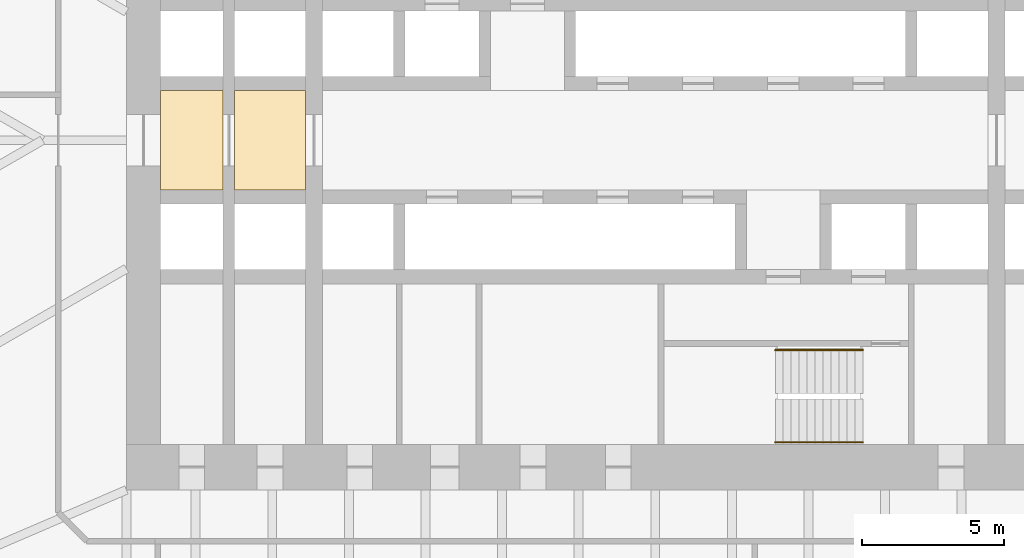
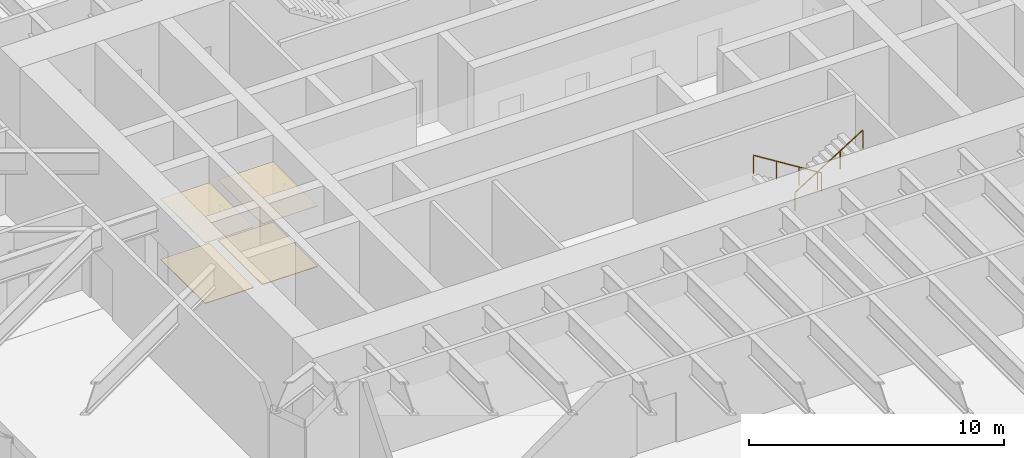
# One storey, part 15 of 17: 4 coverings, 2 railings.
"""IFC4 building model written with IfcOpenShell, lengths in metres."""

from ifc_helpers import new_model, si_unit, direction, frame, origin, origin_2d, place, context, subcontext, project, spatial, polyline, circle, outline, extrude, material, layer, layer_set, type_object, element, save


model = new_model("IFC4")

# Units and contexts
model_context = context("Model", 3, precision=1e-05, world=origin(), true_north=direction((0.0, 1.0)))
body_context = subcontext(model_context, "Body", "Model", "MODEL_VIEW")
ifc_project = project(units=[si_unit("LENGTHUNIT", "METRE"), si_unit("AREAUNIT", "SQUARE_METRE"), si_unit("VOLUMEUNIT", "CUBIC_METRE"), si_unit("PLANEANGLEUNIT", "RADIAN"), si_unit("MASSUNIT", "GRAM", prefix="KILO")], contexts=[model_context])

# Site, building, storey
site_placement = place(None, origin())
site = spatial("IfcSite", under=ifc_project, at=site_placement, CompositionType="ELEMENT")
building_placement = place(site_placement, origin())
building = spatial("IfcBuilding", under=site, at=building_placement, Name="Tarfa Lantern Tower", CompositionType="ELEMENT")
storey_placement = place(building_placement, frame((0.0, 0.0, 23.5)))
storey = spatial("IfcBuildingStorey", under=building, at=storey_placement, Name="L04", CompositionType="ELEMENT", Elevation=23.5)

# Coverings
ifc_material_1 = material(Name="Powder-coated aluminium panel", Category="aluminium")
ifc_layer_1 = layer(ifc_material_1, 0.030029296875)
ifc_layer_set_1 = layer_set([ifc_layer_1], Name="CL3 METAL PANEL CEILING 30")
covering_type_1 = type_object("IfcCoveringType", Name="CL3 METAL PANEL CEILING 30", PredefinedType="CEILING", material=ifc_layer_set_1)
covering_1_placement = place(storey_placement, frame((0.0, 0.0, 2.89990234375)))
element("IfcCovering", 1, at=covering_1_placement, inside=storey, type_object=covering_type_1, Name="Ceiling L04-01", PredefinedType="CEILING", context=body_context, shape_type="SweptSolid", body=[
    extrude(outline(polyline([(-17.39990234375, -1.75), (-15.199951171875, -1.75), (-15.199951171875, 1.75), (-17.39990234375, 1.75), (-17.39990234375, -1.75)])), origin(), (0.0, 0.0, 1.0), 0.030029296875),
])
covering_2_placement = place(storey_placement, frame((0.0, 0.0, 2.89990234375)))
element("IfcCovering", 2, at=covering_2_placement, inside=storey, type_object=covering_type_1, Name="Ceiling L04-02", PredefinedType="CEILING", context=body_context, shape_type="SweptSolid", body=[
    extrude(outline(polyline([(-14.800048828125, -1.75), (-12.300048828125, -1.75), (-12.300048828125, 1.75), (-14.800048828125, 1.75), (-14.800048828125, -1.75)])), origin(), (0.0, 0.0, 1.0), 0.030029296875),
])
ifc_material_2 = material(Name="Honed limestone flooring", Category="masonry")
ifc_layer_2 = layer(ifc_material_2, 0.030029296875)
ifc_layer_set_2 = layer_set([ifc_layer_2], Name="FL2 STONE FLOORING 30")
covering_type_2 = type_object("IfcCoveringType", Name="FL2 STONE FLOORING 30", PredefinedType="FLOORING", material=ifc_layer_set_2)
covering_3_placement = place(storey_placement, origin())
element("IfcCovering", 3, at=covering_3_placement, inside=storey, type_object=covering_type_2, Name="Floor finish L04-01", PredefinedType="FLOORING", context=body_context, shape_type="SweptSolid", body=[
    extrude(outline(polyline([(-17.39990234375, -1.75), (-15.199951171875, -1.75), (-15.199951171875, 1.75), (-17.39990234375, 1.75), (-17.39990234375, -1.75)])), origin(), (0.0, 0.0, 1.0), 0.030029296875),
])
covering_4_placement = place(storey_placement, origin())
element("IfcCovering", 4, at=covering_4_placement, inside=storey, type_object=covering_type_2, Name="Floor finish L04-02", PredefinedType="FLOORING", context=body_context, shape_type="SweptSolid", body=[
    extrude(outline(polyline([(-14.800048828125, -1.75), (-12.300048828125, -1.75), (-12.300048828125, 1.75), (-14.800048828125, 1.75), (-14.800048828125, -1.75)])), origin(), (0.0, 0.0, 1.0), 0.030029296875),
])

# Railings
ifc_material_3 = material(Name="Stainless steel", Category="steel")
railing_type = type_object("IfcRailingType", Name="HR1 HANDRAIL 900", PredefinedType="HANDRAIL", material=ifc_material_3)
railing_1_placement = place(storey_placement, frame((7.300048828125, -7.3798828125, 0.175048828125)))
element("IfcRailing", 5, at=railing_1_placement, inside=storey, type_object=railing_type, Name="Handrail 1", PredefinedType="HANDRAIL", context=body_context, shape_type="SweptSolid", body=[
    extrude(circle(Radius=0.02392578125, at=origin_2d()), frame((0.0, 0.0, 0.8759765625), z_axis=(-0.847998304005, 0.0, 0.529998940003), x_axis=(0.0, -1.0, 0.0)), (0.0, 0.0, 1.0), 3.632080078125),
    extrude(circle(Radius=0.02099609375, at=origin_2d()), frame((0.0, 0.0, 0.0), z_axis=(0.0, 0.0, 1.0), x_axis=(0.0, -1.0, 0.0)), (0.0, 0.0, 1.0), 0.851806640625),
    extrude(circle(Radius=0.02099609375, at=origin_2d()), frame((-1.026611328125, 0.0, 0.6416015625), z_axis=(0.0, 0.0, 1.0), x_axis=(0.0, -1.0, 0.0)), (0.0, 0.0, 1.0), 0.851806640625),
    extrude(circle(Radius=0.02099609375, at=origin_2d()), frame((-2.053466796875, 0.0, 1.283447265625), z_axis=(0.0, 0.0, 1.0), x_axis=(0.0, -1.0, 0.0)), (0.0, 0.0, 1.0), 0.851806640625),
    extrude(circle(Radius=0.02099609375, at=origin_2d()), frame((-3.080078125, 0.0, 1.925048828125), z_axis=(0.0, 0.0, 1.0), x_axis=(0.0, -1.0, 0.0)), (0.0, 0.0, 1.0), 0.851806640625),
])
railing_2_placement = place(storey_placement, frame((4.219970703125, -10.6201171875, 2.27490234375)))
element("IfcRailing", 6, at=railing_2_placement, inside=storey, type_object=railing_type, Name="Handrail 2", PredefinedType="HANDRAIL", context=body_context, shape_type="SweptSolid", body=[
    extrude(circle(Radius=0.02392578125, at=origin_2d()), frame((0.0, 0.0, 0.8759765625), z_axis=(0.847998304005, 0.0, 0.529998940003), x_axis=(0.0, 1.0, 0.0)), (0.0, 0.0, 1.0), 3.632080078125),
    extrude(circle(Radius=0.02099609375, at=origin_2d()), frame((0.0, 0.0, 0.0), z_axis=(0.0, 0.0, 1.0), x_axis=(0.0, 1.0, 0.0)), (0.0, 0.0, 1.0), 0.851806640625),
    extrude(circle(Radius=0.02099609375, at=origin_2d()), frame((1.026611328125, 0.0, 0.6416015625), z_axis=(0.0, 0.0, 1.0), x_axis=(0.0, 1.0, 0.0)), (0.0, 0.0, 1.0), 0.851806640625),
    extrude(circle(Radius=0.02099609375, at=origin_2d()), frame((2.053466796875, 0.0, 1.283447265625), z_axis=(0.0, 0.0, 1.0), x_axis=(0.0, 1.0, 0.0)), (0.0, 0.0, 1.0), 0.851806640625),
    extrude(circle(Radius=0.02099609375, at=origin_2d()), frame((3.080078125, 0.0, 1.925048828125), z_axis=(0.0, 0.0, 1.0), x_axis=(0.0, 1.0, 0.0)), (0.0, 0.0, 1.0), 0.851806640625),
])

save(model, "model.ifc")
